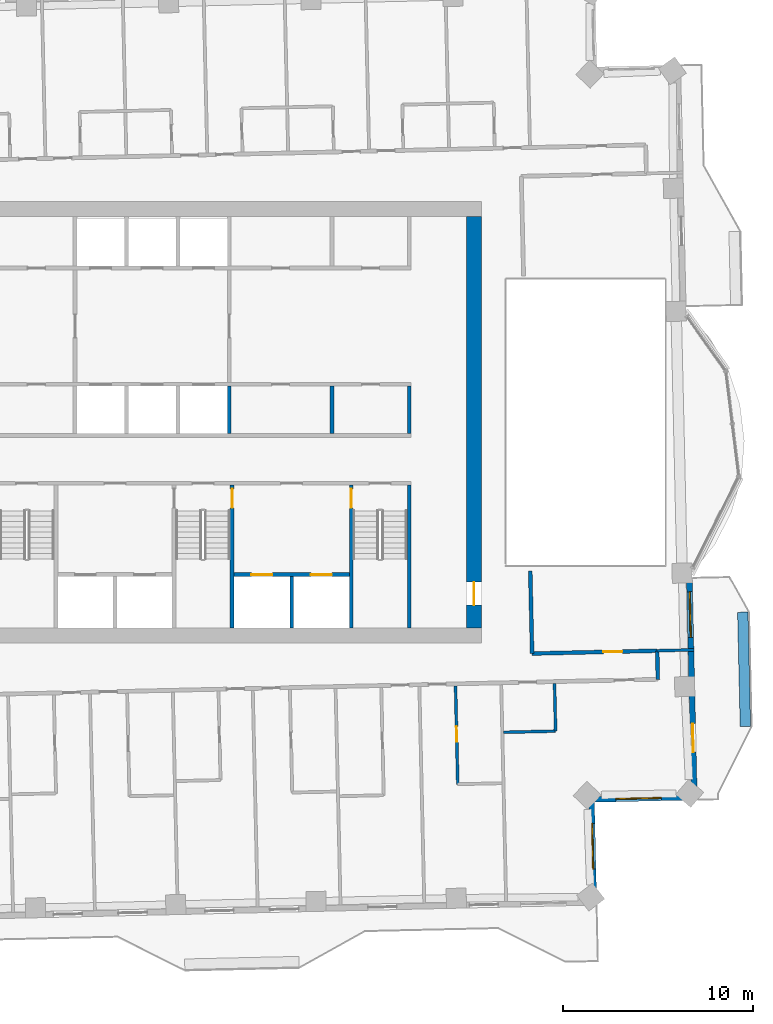
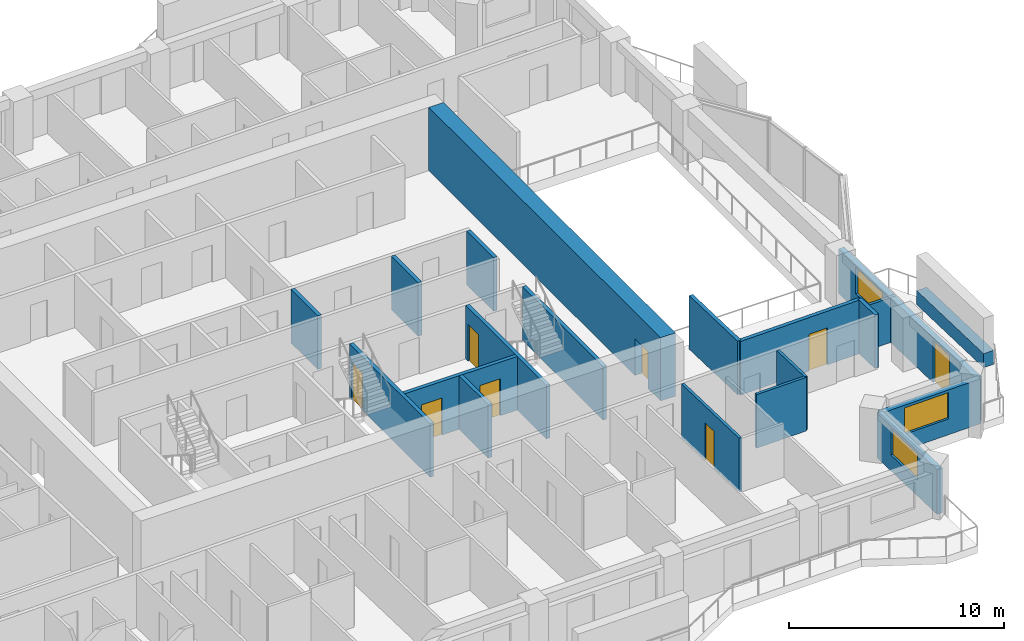
# One storey, part 9 of 17: 20 walls, 8 doors, 3 windows, 11 openings.
"""IFC4 building model written with IfcOpenShell, lengths in metres."""

from ifc_helpers import new_model, si_unit, direction, frame, frame_2d, origin, place, context, subcontext, project, spatial, rectangle, extrude, material, layer, layer_set, type_object, element, fill, save


model = new_model("IFC4")

# Units and contexts
model_context = context("Model", 3, precision=1e-05, world=origin(), true_north=direction((0.0, 1.0)))
body_context = subcontext(model_context, "Body", "Model", "MODEL_VIEW")
ifc_project = project(units=[si_unit("LENGTHUNIT", "METRE"), si_unit("AREAUNIT", "SQUARE_METRE"), si_unit("VOLUMEUNIT", "CUBIC_METRE"), si_unit("PLANEANGLEUNIT", "RADIAN"), si_unit("MASSUNIT", "GRAM", prefix="KILO")], contexts=[model_context])

# Site, building, storey
site_placement = place(None, origin())
site = spatial("IfcSite", under=ifc_project, at=site_placement, CompositionType="ELEMENT")
building_placement = place(site_placement, origin())
building = spatial("IfcBuilding", under=site, at=building_placement, Name="Mangrove Gate Tower", CompositionType="ELEMENT")
storey_placement = place(building_placement, frame((0.0, 0.0, 241.89990234375)))
storey = spatial("IfcBuildingStorey", under=building, at=storey_placement, Name="L61", CompositionType="ELEMENT", Elevation=241.89990234375)

# Walls
ifc_material_1 = material(Name="Concrete C32/40", Category="concrete")
ifc_layer_1 = layer(ifc_material_1, 0.199951171875)
ifc_layer_set_1 = layer_set([ifc_layer_1], Name="Core room wall 200 C32/40")
wall_type_1 = type_object("IfcWallType", Name="Core room wall 200 C32/40", PredefinedType="STANDARD", material=ifc_layer_set_1)
for number, where, z_axis, x_axis, name in (
    (1, (6.75, -0.60009765625, 0.0), (0.0, 0.0, 1.0), (0.0, 1.0, 0.0), "WALL-L61-CORE-24"),
    (2, (10.800048828125, -0.60009765625, 0.0), (0.0, 0.0, 1.0), (0.0, 1.0, 0.0), "WALL-L61-CORE-25"),
):
    element("IfcWall", number, at=place(storey_placement, frame(where, z_axis=z_axis, x_axis=x_axis)), inside=storey, type_object=wall_type_1, Name=name, PredefinedType="STANDARD", context=body_context, shape_type="SweptSolid", body=[
        extrude(rectangle(XDim=2.5, YDim=0.199951171875, at=frame_2d((1.25, 0.0))), origin(), (0.0, 0.0, 1.0), 3.050048828125),
    ])

# Wall, openings, doors
ifc_material_2 = material(Name="Concrete C60/75", Category="concrete")
ifc_layer_2 = layer(ifc_material_2, 0.199951171875)
ifc_layer_set_2 = layer_set([ifc_layer_2], Name="Core shaft wall 200 C60/75")
wall_type_2 = type_object("IfcWallType", Name="Core shaft wall 200 C60/75", PredefinedType="SHEAR", material=ifc_layer_set_2)
wall_1_placement = place(storey_placement, frame((1.60009765625, -8.0, 0.0), z_axis=(0.0, 0.0, 1.0), x_axis=(1.0, 0.0, 0.0)))
wall_1 = element("IfcWall", 3, at=wall_1_placement, inside=storey, type_object=wall_type_2, Name="WALL-L61-CORE-17", PredefinedType="SHEAR", context=body_context, shape_type="SweptSolid", body=[
    extrude(rectangle(XDim=6.0498046875, YDim=0.199951171875, at=frame_2d((3.02490234375, 0.0))), origin(), (0.0, 0.0, 1.0), 3.050048828125),
])
opening_1_placement = place(wall_1_placement, frame((0.91259765625, 0.0, 0.0)))
opening_1 = element("IfcOpeningElement", 4, at=opening_1_placement, cuts=wall_1, Name="Opening LD", PredefinedType="OPENING", context=body_context, shape_type="SweptSolid", body=[
    extrude(rectangle(XDim=1.10009765625, YDim=2.10009765625, at=frame_2d((0.550048828125, 1.050048828125))), frame((0.0, 0.10986328125, 0.0), z_axis=(0.0, -1.0, 0.0), x_axis=(1.0, 0.0, 0.0)), (0.0, 0.0, 1.0), 0.219970703125),
])
opening_2_placement = place(wall_1_placement, frame((4.03759765625, 0.0, 0.0)))
opening_2 = element("IfcOpeningElement", 5, at=opening_2_placement, cuts=wall_1, Name="Opening LD", PredefinedType="OPENING", context=body_context, shape_type="SweptSolid", body=[
    extrude(rectangle(XDim=1.10009765625, YDim=2.10009765625, at=frame_2d((0.550048828125, 1.050048828125))), frame((0.0, 0.10986328125, 0.0), z_axis=(0.0, -1.0, 0.0), x_axis=(1.0, 0.0, 0.0)), (0.0, 0.0, 1.0), 0.219970703125),
])
ifc_material_3 = material(Name="Stainless steel 316", Category="steel")
door_type_1 = type_object("IfcDoorType", Name="Lift landing door 1100x2100", OperationType="SLIDING_TO_LEFT", PredefinedType="DOOR", material=ifc_material_3)
door_1_placement = place(opening_1_placement, origin())
door_1 = element("IfcDoor", 6, at=door_1_placement, inside=storey, type_object=door_type_1, Name="Landing door LD FFL1", OperationType="SLIDING_TO_LEFT", OverallHeight=2.10009765625, OverallWidth=1.10009765625, PredefinedType="DOOR", context=body_context, shape_type="SweptSolid", body=[
    extrude(rectangle(XDim=1.10009765625, YDim=2.10009765625, at=frame_2d((0.550048828125, 1.050048828125))), frame((0.0, 0.02490234375, 0.0), z_axis=(0.0, -1.0, 0.0), x_axis=(1.0, 0.0, 0.0)), (0.0, 0.0, 1.0), 0.050048828125),
])
fill(opening_1, door_1)
door_2_placement = place(opening_2_placement, origin())
door_2 = element("IfcDoor", 7, at=door_2_placement, inside=storey, type_object=door_type_1, Name="Landing door LD FFL2", OperationType="SLIDING_TO_LEFT", OverallHeight=2.10009765625, OverallWidth=1.10009765625, PredefinedType="DOOR", context=body_context, shape_type="SweptSolid", body=[
    extrude(rectangle(XDim=1.10009765625, YDim=2.10009765625, at=frame_2d((0.550048828125, 1.050048828125))), frame((0.0, 0.02490234375, 0.0), z_axis=(0.0, -1.0, 0.0), x_axis=(1.0, 0.0, 0.0)), (0.0, 0.0, 1.0), 0.050048828125),
])
fill(opening_2, door_2)

# Walls
wall_2_placement = place(storey_placement, frame((4.625, -10.800048828125, 0.0), z_axis=(0.0, 0.0, 1.0), x_axis=(0.0, 1.0, 0.0)))
element("IfcWall", 8, at=wall_2_placement, inside=storey, type_object=wall_type_2, Name="WALL-L61-CORE-18", PredefinedType="SHEAR", context=body_context, shape_type="SweptSolid", body=[
    extrude(rectangle(XDim=2.699951171875, YDim=0.199951171875, at=frame_2d((1.35009765625, 0.0))), origin(), (0.0, 0.0, 1.0), 3.050048828125),
])
wall_3_placement = place(storey_placement, frame((1.35009765625, -0.60009765625, 0.0), z_axis=(0.0, 0.0, 1.0), x_axis=(0.0, 1.0, 0.0)))
element("IfcWall", 9, at=wall_3_placement, inside=storey, type_object=wall_type_2, Name="WALL-L61-CORE-23", PredefinedType="SHEAR", context=body_context, shape_type="SweptSolid", body=[
    extrude(rectangle(XDim=2.5, YDim=0.199951171875, at=frame_2d((1.25, 0.0))), origin(), (0.0, 0.0, 1.0), 3.050048828125),
])

# Wall, opening, door
ifc_material_4 = material(Name="Concrete C60/75", Category="concrete")
ifc_layer_3 = layer(ifc_material_4, 0.199951171875)
ifc_layer_set_3 = layer_set([ifc_layer_3], Name="Core stair wall 200 C60/75")
wall_type_3 = type_object("IfcWallType", Name="Core stair wall 200 C60/75", PredefinedType="SHEAR", material=ifc_layer_set_3)
wall_4_placement = place(storey_placement, frame((1.5, -10.800048828125, 0.0), z_axis=(0.0, 0.0, 1.0), x_axis=(0.0, 1.0, 0.0)))
wall_4 = element("IfcWall", 10, at=wall_4_placement, inside=storey, type_object=wall_type_3, Name="WALL-L61-CORE-12", PredefinedType="SHEAR", context=body_context, shape_type="SweptSolid", body=[
    extrude(rectangle(XDim=7.5, YDim=0.199951171875, at=frame_2d((3.75, 0.0))), origin(), (0.0, 0.0, 1.0), 3.050048828125),
])
opening_3_placement = place(wall_4_placement, frame((6.300048828125, 0.0, 0.0)))
opening_3 = element("IfcOpeningElement", 11, at=opening_3_placement, cuts=wall_4, Name="Opening STD10", PredefinedType="OPENING", context=body_context, shape_type="SweptSolid", body=[
    extrude(rectangle(XDim=1.0, YDim=2.10009765625, at=frame_2d((0.5, 1.050048828125))), frame((0.0, 0.10986328125, 0.0), z_axis=(0.0, -1.0, 0.0), x_axis=(1.0, 0.0, 0.0)), (0.0, 0.0, 1.0), 0.219970703125),
])
ifc_material_5 = material(Name="Fire-rated steel door set", Category="steel")
door_type_2 = type_object("IfcDoorType", Name="Stair door FD60 1000x2100", OperationType="SINGLE_SWING_RIGHT", PredefinedType="DOOR", material=ifc_material_5)
door_3_placement = place(opening_3_placement, origin())
door_3 = element("IfcDoor", 12, at=door_3_placement, inside=storey, type_object=door_type_2, Name="Stair door Stair 2 from fire-fighting lobby", OperationType="SINGLE_SWING_RIGHT", OverallHeight=2.10009765625, OverallWidth=1.0, PredefinedType="DOOR", context=body_context, shape_type="SweptSolid", body=[
    extrude(rectangle(XDim=1.0, YDim=2.10009765625, at=frame_2d((0.5, 1.050048828125))), frame((0.0, 0.02490234375, 0.0), z_axis=(0.0, -1.0, 0.0), x_axis=(1.0, 0.0, 0.0)), (0.0, 0.0, 1.0), 0.050048828125),
])
fill(opening_3, door_3)

wall_5_placement = place(storey_placement, frame((7.75, -10.800048828125, 0.0), z_axis=(0.0, 0.0, 1.0), x_axis=(0.0, 1.0, 0.0)))
wall_5 = element("IfcWall", 13, at=wall_5_placement, inside=storey, type_object=wall_type_3, Name="WALL-L61-CORE-13", PredefinedType="SHEAR", context=body_context, shape_type="SweptSolid", body=[
    extrude(rectangle(XDim=7.5, YDim=0.199951171875, at=frame_2d((3.75, 0.0))), origin(), (0.0, 0.0, 1.0), 3.050048828125),
])
opening_4_placement = place(wall_5_placement, frame((6.300048828125, 0.0, 0.0)))
opening_4 = element("IfcOpeningElement", 14, at=opening_4_placement, cuts=wall_5, Name="Opening STD10", PredefinedType="OPENING", context=body_context, shape_type="SweptSolid", body=[
    extrude(rectangle(XDim=1.0, YDim=2.10009765625, at=frame_2d((0.5, 1.050048828125))), frame((0.0, 0.10986328125, 0.0), z_axis=(0.0, -1.0, 0.0), x_axis=(1.0, 0.0, 0.0)), (0.0, 0.0, 1.0), 0.219970703125),
])
door_4_placement = place(opening_4_placement, origin())
door_4 = element("IfcDoor", 15, at=door_4_placement, inside=storey, type_object=door_type_2, Name="Stair door Stair 3 from fire-fighting lobby", OperationType="SINGLE_SWING_RIGHT", OverallHeight=2.10009765625, OverallWidth=1.0, PredefinedType="DOOR", context=body_context, shape_type="SweptSolid", body=[
    extrude(rectangle(XDim=1.0, YDim=2.10009765625, at=frame_2d((0.5, 1.050048828125))), frame((0.0, 0.02490234375, 0.0), z_axis=(0.0, -1.0, 0.0), x_axis=(1.0, 0.0, 0.0)), (0.0, 0.0, 1.0), 0.050048828125),
])
fill(opening_4, door_4)

# Wall
wall_6_placement = place(storey_placement, frame((10.800048828125, -10.800048828125, 0.0), z_axis=(0.0, 0.0, 1.0), x_axis=(0.0, 1.0, 0.0)))
element("IfcWall", 16, at=wall_6_placement, inside=storey, type_object=wall_type_3, Name="WALL-L61-CORE-14", PredefinedType="SHEAR", context=body_context, shape_type="SweptSolid", body=[
    extrude(rectangle(XDim=7.5, YDim=0.199951171875, at=frame_2d((3.75, 0.0))), origin(), (0.0, 0.0, 1.0), 3.050048828125),
])

# Wall, opening, door
ifc_material_6 = material(Name="Concrete C60/75", Category="concrete")
ifc_layer_4 = layer(ifc_material_6, 0.800048828125)
ifc_layer_set_4 = layer_set([ifc_layer_4], Name="Core wall 800 C60/75")
wall_type_4 = type_object("IfcWallType", Name="Core wall 800 C60/75", PredefinedType="SHEAR", material=ifc_layer_set_4)
wall_7_placement = place(storey_placement, frame((14.199951171875, -10.800048828125, 0.0), z_axis=(0.0, 0.0, 1.0), x_axis=(0.0, 1.0, 0.0)))
wall_7 = element("IfcWall", 17, at=wall_7_placement, inside=storey, type_object=wall_type_4, Name="WALL-L61-CORE-4", PredefinedType="SHEAR", context=body_context, shape_type="SweptSolid", body=[
    extrude(rectangle(XDim=21.60009765625, YDim=0.800048828125, at=frame_2d((10.800048828125, 0.0))), origin(), (0.0, 0.0, 1.0), 3.60009765625),
])
opening_5_placement = place(wall_7_placement, frame((1.199951171875, 0.0, 0.0)))
opening_5 = element("IfcOpeningElement", 18, at=opening_5_placement, cuts=wall_7, Name="Opening CD", PredefinedType="OPENING", context=body_context, shape_type="SweptSolid", body=[
    extrude(rectangle(XDim=1.199951171875, YDim=2.10009765625, at=frame_2d((0.60009765625, 1.050048828125))), frame((0.0, 0.409912109375, 0.0), z_axis=(0.0, -1.0, 0.0), x_axis=(1.0, 0.0, 0.0)), (0.0, 0.0, 1.0), 0.820068359375),
])
ifc_material_7 = material(Name="Fire-rated steel door set", Category="steel")
door_type_3 = type_object("IfcDoorType", Name="Core ring door FD60 1200x2100", OperationType="DOUBLE_DOOR_SINGLE_SWING", PredefinedType="DOOR", material=ifc_material_7)
door_5_placement = place(opening_5_placement, origin())
door_5 = element("IfcDoor", 19, at=door_5_placement, inside=storey, type_object=door_type_3, Name="Core ring door E1", OperationType="DOUBLE_DOOR_SINGLE_SWING", OverallHeight=2.10009765625, OverallWidth=1.199951171875, PredefinedType="DOOR", context=body_context, shape_type="SweptSolid", body=[
    extrude(rectangle(XDim=1.199951171875, YDim=2.10009765625, at=frame_2d((0.60009765625, 1.050048828125))), frame((0.0, 0.02490234375, 0.0), z_axis=(0.0, -1.0, 0.0), x_axis=(1.0, 0.0, 0.0)), (0.0, 0.0, 1.0), 0.050048828125),
])
fill(opening_5, door_5)

# Walls
ifc_material_8 = material(Name="Gypsum board on steel stud, EI 60", Category="steel")
ifc_layer_5 = layer(ifc_material_8, 0.199951171875)
ifc_layer_set_5 = layer_set([ifc_layer_5], Name="Corridor wall EI 60")
wall_type_5 = type_object("IfcWallType", Name="Corridor wall EI 60", PredefinedType="PARTITIONING", material=ifc_layer_set_5)
wall_8_placement = place(storey_placement, frame((23.85498046875, -13.5, 0.0), z_axis=(0.0, 0.0, 1.0), x_axis=(-0.022617910375, 0.999744182344, 0.0)))
element("IfcWall", 20, at=wall_8_placement, inside=storey, type_object=wall_type_5, Name="WALL-L61-031", PredefinedType="PARTITIONING", context=body_context, shape_type="SweptSolid", body=[
    extrude(rectangle(XDim=1.50048828125, YDim=0.199951171875, at=frame_2d((0.750244140625, 0.0))), origin(), (0.0, 0.0, 1.0), 3.050048828125),
])
wall_9_placement = place(storey_placement, frame((17.2529296875, -12.14892578125, 0.0), z_axis=(0.0, 0.0, 1.0), x_axis=(-0.022578158225, 0.999745080894, 0.0)))
element("IfcWall", 21, at=wall_9_placement, inside=storey, type_object=wall_type_5, Name="WALL-L61-034", PredefinedType="PARTITIONING", context=body_context, shape_type="SweptSolid", body=[
    extrude(rectangle(XDim=4.336181640625, YDim=0.199951171875, at=frame_2d((2.16796875, 0.0))), origin(), (0.0, 0.0, 1.0), 3.050048828125),
])

# Wall, opening, door
wall_10_placement = place(storey_placement, frame((17.248046875, -12.14501953125, 0.0), z_axis=(0.0, 0.0, 1.0), x_axis=(0.999743348025, 0.022654758434, 0.0)))
wall_10 = element("IfcWall", 22, at=wall_10_placement, inside=storey, type_object=wall_type_5, Name="WALL-L61-037", PredefinedType="PARTITIONING", context=body_context, shape_type="SweptSolid", body=[
    extrude(rectangle(XDim=6.57373046875, YDim=0.199951171875, at=frame_2d((3.286865234375, 0.0))), origin(), (0.0, 0.0, 1.0), 3.050048828125),
])
opening_6_placement = place(wall_10_placement, frame((3.75, 0.0, 0.0)))
opening_6 = element("IfcOpeningElement", 23, at=opening_6_placement, cuts=wall_10, Name="Opening AD", PredefinedType="OPENING", context=body_context, shape_type="SweptSolid", body=[
    extrude(rectangle(XDim=1.0, YDim=2.10009765625, at=frame_2d((0.5, 1.050048828125))), frame((0.0, 0.10986328125, 0.0), z_axis=(0.0, -1.0, 0.0), x_axis=(1.0, 0.0, 0.0)), (0.0, 0.0, 1.0), 0.219970703125),
])
ifc_material_9 = material(Name="Timber door leaf", Category="wood")
door_type_4 = type_object("IfcDoorType", Name="Amenity door 1000", OperationType="SINGLE_SWING_LEFT", PredefinedType="DOOR", material=ifc_material_9)
door_6_placement = place(opening_6_placement, origin())
door_6 = element("IfcDoor", 24, at=door_6_placement, inside=storey, type_object=door_type_4, Name="DOOR-L61-KIT-c3b", OperationType="SINGLE_SWING_LEFT", OverallHeight=2.10009765625, OverallWidth=1.0, PredefinedType="DOOR", context=body_context, shape_type="SweptSolid", body=[
    extrude(rectangle(XDim=1.0, YDim=2.10009765625, at=frame_2d((0.5, 1.050048828125))), frame((0.0, 0.02490234375, 0.0), z_axis=(0.0, -1.0, 0.0), x_axis=(1.0, 0.0, 0.0)), (0.0, 0.0, 1.0), 0.050048828125),
])
fill(opening_6, door_6)

# Wall, openings, door, window
ifc_material_10 = material(Name="Limestone", Category="masonry")
ifc_layer_6 = layer(ifc_material_10, 0.0400390625, Name="Limestone cladding")
ifc_material_11 = material(Name="Ventilated air gap")
ifc_layer_7 = layer(ifc_material_11, 0.0400390625, Name="Ventilated cavity")
ifc_material_12 = material(Name="Mineral wool insulation")
ifc_layer_8 = layer(ifc_material_12, 0.06005859375, Name="Insulation")
ifc_material_13 = material(Name="Breather membrane")
ifc_layer_9 = layer(ifc_material_13, 0.001953125, Name="Breather membrane")
ifc_material_14 = material(Name="Concrete C20/25 blockwork", Category="masonry")
ifc_layer_10 = layer(ifc_material_14, 0.14990234375, Name="Blockwork backing wall")
ifc_material_15 = material(Name="Gypsum plaster")
ifc_layer_11 = layer(ifc_material_15, 0.008056640625, Name="Internal plaster")
ifc_layer_set_6 = layer_set([ifc_layer_6, ifc_layer_7, ifc_layer_8, ifc_layer_9, ifc_layer_10, ifc_layer_11], Name="External wall 300 limestone cladding")
wall_type_6 = type_object("IfcWallType", Name="External wall 300 limestone cladding", PredefinedType="SOLIDWALL", material=ifc_layer_set_6)
wall_11_placement = place(storey_placement, frame((25.77001953125, -19.68408203125, 0.0), z_axis=(0.0, 0.0, 1.0), x_axis=(-0.022688489476, 0.999742583091, 0.0)))
wall_11 = element("IfcWall", 25, at=wall_11_placement, inside=storey, type_object=wall_type_6, Name="WALL-L61-E0s1", PredefinedType="SOLIDWALL", context=body_context, shape_type="SweptSolid", body=[
    extrude(rectangle(XDim=12.29931640625, YDim=0.300048828125, at=frame_2d((6.149658203125, 0.0))), origin(), (0.0, 0.0, 1.0), 2.550048828125),
])
opening_7_placement = place(wall_11_placement, frame((2.365966796875, 0.0, 0.0)))
opening_7 = element("IfcOpeningElement", 26, at=opening_7_placement, cuts=wall_11, Name="Opening BD1", PredefinedType="OPENING", context=body_context, shape_type="SweptSolid", body=[
    extrude(rectangle(XDim=1.5, YDim=2.39990234375, at=frame_2d((0.75, 1.199951171875))), frame((0.0, 0.159912109375, 0.0), z_axis=(0.0, -1.0, 0.0), x_axis=(1.0, 0.0, 0.0)), (0.0, 0.0, 1.0), 0.320068359375),
])
opening_8_placement = place(wall_11_placement, frame((8.387939453125, 0.0, 0.89990234375)))
opening_8 = element("IfcOpeningElement", 27, at=opening_8_placement, cuts=wall_11, Name="Opening W2", PredefinedType="OPENING", context=body_context, shape_type="SweptSolid", body=[
    extrude(rectangle(XDim=2.39990234375, YDim=1.5, at=frame_2d((1.199951171875, 0.75))), frame((0.0, 0.159912109375, 0.0), z_axis=(0.0, -1.0, 0.0), x_axis=(1.0, 0.0, 0.0)), (0.0, 0.0, 1.0), 0.320068359375),
])
ifc_material_16 = material(Name="Aluminium frame with laminated clear glass", Category="aluminium")
door_type_5 = type_object("IfcDoorType", Name="Balcony sliding door 1500x2400", OperationType="SLIDING_TO_LEFT", PredefinedType="DOOR", material=ifc_material_16)
door_7_placement = place(opening_7_placement, origin())
door_7 = element("IfcDoor", 28, at=door_7_placement, inside=storey, type_object=door_type_5, Name="DOOR-L61-E0-1", OperationType="SLIDING_TO_LEFT", OverallHeight=2.39990234375, OverallWidth=1.5, PredefinedType="DOOR", context=body_context, shape_type="SweptSolid", body=[
    extrude(rectangle(XDim=1.5, YDim=2.39990234375, at=frame_2d((0.75, 1.199951171875))), frame((0.0, 0.02490234375, 0.0), z_axis=(0.0, -1.0, 0.0), x_axis=(1.0, 0.0, 0.0)), (0.0, 0.0, 1.0), 0.050048828125),
])
fill(opening_7, door_7)
ifc_material_17 = material(Name="Aluminium frame with double-glazed low-e glass", Category="aluminium")
window_type = type_object("IfcWindowType", Name="Corner room window 2400x1500", PartitioningType="DOUBLE_PANEL_VERTICAL", PredefinedType="WINDOW", material=ifc_material_17)
window_1_placement = place(opening_8_placement, origin())
window_1 = element("IfcWindow", 29, at=window_1_placement, inside=storey, type_object=window_type, Name="WIN-L61-E0-2", OverallHeight=1.5, OverallWidth=2.39990234375, PartitioningType="DOUBLE_PANEL_VERTICAL", PredefinedType="WINDOW", context=body_context, shape_type="SweptSolid", body=[
    extrude(rectangle(XDim=2.39990234375, YDim=1.5, at=frame_2d((1.199951171875, 0.75))), frame((0.0, 0.030029296875, 0.0), z_axis=(0.0, -1.0, 0.0), x_axis=(1.0, 0.0, 0.0)), (0.0, 0.0, 1.0), 0.06005859375),
])
fill(opening_8, window_1)

# Wall, opening, window
wall_12_placement = place(storey_placement, frame((20.493896484375, -25.205078125, 0.0), z_axis=(0.0, 0.0, 1.0), x_axis=(-0.022558128916, 0.999745533033, 0.0)))
wall_12 = element("IfcWall", 30, at=wall_12_placement, inside=storey, type_object=wall_type_6, Name="WALL-L61-E14", PredefinedType="SOLIDWALL", context=body_context, shape_type="SweptSolid", body=[
    extrude(rectangle(XDim=5.400634765625, YDim=0.300048828125, at=frame_2d((2.7001953125, 0.0))), origin(), (0.0, 0.0, 1.0), 2.550048828125),
])
opening_9_placement = place(wall_12_placement, frame((1.742919921875, 0.0, 0.89990234375)))
opening_9 = element("IfcOpeningElement", 31, at=opening_9_placement, cuts=wall_12, Name="Opening W2", PredefinedType="OPENING", context=body_context, shape_type="SweptSolid", body=[
    extrude(rectangle(XDim=2.39990234375, YDim=1.5, at=frame_2d((1.199951171875, 0.75))), frame((0.0, 0.159912109375, 0.0), z_axis=(0.0, -1.0, 0.0), x_axis=(1.0, 0.0, 0.0)), (0.0, 0.0, 1.0), 0.320068359375),
])
window_2_placement = place(opening_9_placement, origin())
window_2 = element("IfcWindow", 32, at=window_2_placement, inside=storey, type_object=window_type, Name="WIN-L61-E14-1", OverallHeight=1.5, OverallWidth=2.39990234375, PartitioningType="DOUBLE_PANEL_VERTICAL", PredefinedType="WINDOW", context=body_context, shape_type="SweptSolid", body=[
    extrude(rectangle(XDim=2.39990234375, YDim=1.5, at=frame_2d((1.199951171875, 0.75))), frame((0.0, 0.030029296875, 0.0), z_axis=(0.0, -1.0, 0.0), x_axis=(1.0, 0.0, 0.0)), (0.0, 0.0, 1.0), 0.06005859375),
])
fill(opening_9, window_2)

wall_13_placement = place(storey_placement, frame((20.3720703125, -19.805908203125, 0.0), z_axis=(0.0, 0.0, 1.0), x_axis=(0.999745417973, 0.02256322766, 0.0)))
wall_13 = element("IfcWall", 33, at=wall_13_placement, inside=storey, type_object=wall_type_6, Name="WALL-L61-S15", PredefinedType="SOLIDWALL", context=body_context, shape_type="SweptSolid", body=[
    extrude(rectangle(XDim=5.3994140625, YDim=0.300048828125, at=frame_2d((2.69970703125, 0.0))), origin(), (0.0, 0.0, 1.0), 2.550048828125),
])
opening_10_placement = place(wall_13_placement, frame((1.27099609375, 0.0, 0.89990234375)))
opening_10 = element("IfcOpeningElement", 34, at=opening_10_placement, cuts=wall_13, Name="Opening W2", PredefinedType="OPENING", context=body_context, shape_type="SweptSolid", body=[
    extrude(rectangle(XDim=2.39990234375, YDim=1.5, at=frame_2d((1.199951171875, 0.75))), frame((0.0, 0.159912109375, 0.0), z_axis=(0.0, -1.0, 0.0), x_axis=(1.0, 0.0, 0.0)), (0.0, 0.0, 1.0), 0.320068359375),
])
window_3_placement = place(opening_10_placement, origin())
window_3 = element("IfcWindow", 35, at=window_3_placement, inside=storey, type_object=window_type, Name="WIN-L61-S15-1", OverallHeight=1.5, OverallWidth=2.39990234375, PartitioningType="DOUBLE_PANEL_VERTICAL", PredefinedType="WINDOW", context=body_context, shape_type="SweptSolid", body=[
    extrude(rectangle(XDim=2.39990234375, YDim=1.5, at=frame_2d((1.199951171875, 0.75))), frame((0.0, 0.030029296875, 0.0), z_axis=(0.0, -1.0, 0.0), x_axis=(1.0, 0.0, 0.0)), (0.0, 0.0, 1.0), 0.06005859375),
])
fill(opening_10, window_3)

# Wall, opening, door
ifc_material_18 = material(Name="Gypsum board on steel stud, EI 60", Category="steel")
ifc_layer_12 = layer(ifc_material_18, 0.14990234375)
ifc_layer_set_7 = layer_set([ifc_layer_12], Name="Party wall 150 EI 60")
wall_type_7 = type_object("IfcWallType", Name="Party wall 150 EI 60", PredefinedType="PARTITIONING", material=ifc_layer_set_7)
wall_14_placement = place(storey_placement, frame((13.347900390625, -19.009033203125, 0.0), z_axis=(0.0, 0.0, 1.0), x_axis=(-0.022811522835, 0.999739783357, 0.0)))
wall_14 = element("IfcWall", 36, at=wall_14_placement, inside=storey, type_object=wall_type_7, Name="WALL-L61-019", PredefinedType="PARTITIONING", context=body_context, shape_type="SweptSolid", body=[
    extrude(rectangle(XDim=5.16943359375, YDim=0.14990234375, at=frame_2d((2.584716796875, 0.0))), origin(), (0.0, 0.0, 1.0), 3.050048828125),
])
opening_11_placement = place(wall_14_placement, frame((2.235107421875, 0.0, 0.0)))
opening_11 = element("IfcOpeningElement", 37, at=opening_11_placement, cuts=wall_14, Name="Opening ED", PredefinedType="OPENING", context=body_context, shape_type="SweptSolid", body=[
    extrude(rectangle(XDim=0.800048828125, YDim=2.10009765625, at=frame_2d((0.39990234375, 1.050048828125))), frame((0.0, 0.0849609375, 0.0), z_axis=(0.0, -1.0, 0.0), x_axis=(1.0, 0.0, 0.0)), (0.0, 0.0, 1.0), 0.169921875),
])
ifc_material_19 = material(Name="Timber door leaf", Category="wood")
door_type_6 = type_object("IfcDoorType", Name="En-suite door 800", OperationType="SINGLE_SWING_LEFT", PredefinedType="DOOR", material=ifc_material_19)
door_8_placement = place(opening_11_placement, origin())
door_8 = element("IfcDoor", 38, at=door_8_placement, inside=storey, type_object=door_type_6, Name="DOOR-L61-ENS-c308", OperationType="SINGLE_SWING_RIGHT", OverallHeight=2.10009765625, OverallWidth=0.800048828125, PredefinedType="DOOR", context=body_context, shape_type="SweptSolid", body=[
    extrude(rectangle(XDim=0.800048828125, YDim=2.10009765625, at=frame_2d((0.39990234375, 1.050048828125))), frame((0.0, 0.02490234375, 0.0), z_axis=(0.0, -1.0, 0.0), x_axis=(1.0, 0.0, 0.0)), (0.0, 0.0, 1.0), 0.050048828125),
])
fill(opening_11, door_8)

# Walls
wall_15_placement = place(storey_placement, frame((18.486083984375, -16.221923828125, 0.0), z_axis=(0.0, 0.0, 1.0), x_axis=(-0.022854521249, 0.999738801317, 0.0)))
element("IfcWall", 39, at=wall_15_placement, inside=storey, type_object=wall_type_7, Name="WALL-L61-028", PredefinedType="PARTITIONING", context=body_context, shape_type="SweptSolid", body=[
    extrude(rectangle(XDim=2.499755859375, YDim=0.14990234375, at=frame_2d((1.25, 0.0))), origin(), (0.0, 0.0, 1.0), 3.050048828125),
])
wall_16_placement = place(storey_placement, frame((15.757080078125, -16.280029296875, 0.0), z_axis=(0.0, 0.0, 1.0), x_axis=(0.99974114142, 0.022751926344, 0.0)))
element("IfcWall", 40, at=wall_16_placement, inside=storey, type_object=wall_type_7, Name="WALL-L61-029", PredefinedType="PARTITIONING", context=body_context, shape_type="SweptSolid", body=[
    extrude(rectangle(XDim=2.7255859375, YDim=0.14990234375, at=frame_2d((1.36279296875, 0.0))), origin(), (0.0, 0.0, 1.0), 3.050048828125),
])
wall_17_placement = place(storey_placement, frame((23.820068359375, -11.99609375, 0.0), z_axis=(0.0, 0.0, 1.0), x_axis=(0.999736638572, 0.02294893235, 0.0)))
element("IfcWall", 41, at=wall_17_placement, inside=storey, type_object=wall_type_7, Name="WALL-L61-038", PredefinedType="PARTITIONING", context=body_context, shape_type="SweptSolid", body=[
    extrude(rectangle(XDim=1.925537109375, YDim=0.14990234375, at=frame_2d((0.962890625, 0.0))), origin(), (0.0, 0.0, 1.0), 2.550048828125),
])
ifc_material_20 = material(Name="Concrete C32/40", Category="concrete")
ifc_layer_13 = layer(ifc_material_20, 0.199951171875, Name="Planter trough wall")
ifc_material_21 = material(Name="Bituminous waterproofing membrane")
ifc_layer_14 = layer(ifc_material_21, 0.0048828125, Name="Waterproofing")
ifc_material_22 = material(Name="Drainage board and gravel")
ifc_layer_15 = layer(ifc_material_22, 0.044921875, Name="Drainage layer")
ifc_material_23 = material(Name="Planting soil")
ifc_layer_16 = layer(ifc_material_23, 0.300048828125, Name="Growing medium")
ifc_layer_set_8 = layer_set([ifc_layer_13, ifc_layer_14, ifc_layer_15, ifc_layer_16], Name="Planter wall 550 C32/40")
wall_type_8 = type_object("IfcWallType", Name="Planter wall 550 C32/40", PredefinedType="USERDEFINED", material=ifc_layer_set_8)
wall_18_placement = place(storey_placement, frame((28.451904296875, -15.971923828125, 0.0), z_axis=(0.0, 0.0, 1.0), x_axis=(-0.022662255828, 0.999743178102, 0.0)))
element("IfcWall", 42, at=wall_18_placement, inside=storey, type_object=wall_type_8, Name="PLANTER L61 E0.1", ObjectType="PLANTER", PredefinedType="USERDEFINED", context=body_context, shape_type="SweptSolid", body=[
    extrude(rectangle(XDim=6.00048828125, YDim=0.550048828125, at=frame_2d((3.000244140625, 0.0))), origin(), (0.0, 0.0, 1.0), 0.800048828125),
])

save(model, "model.ifc")
